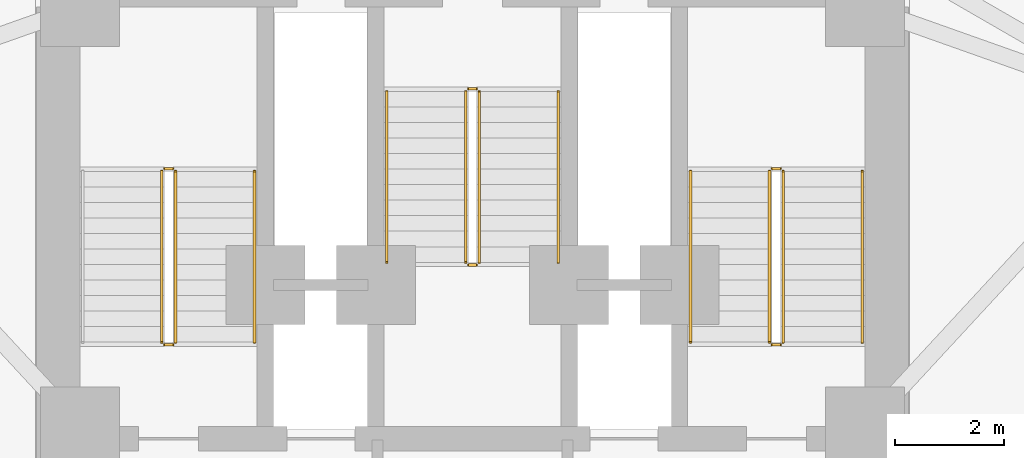
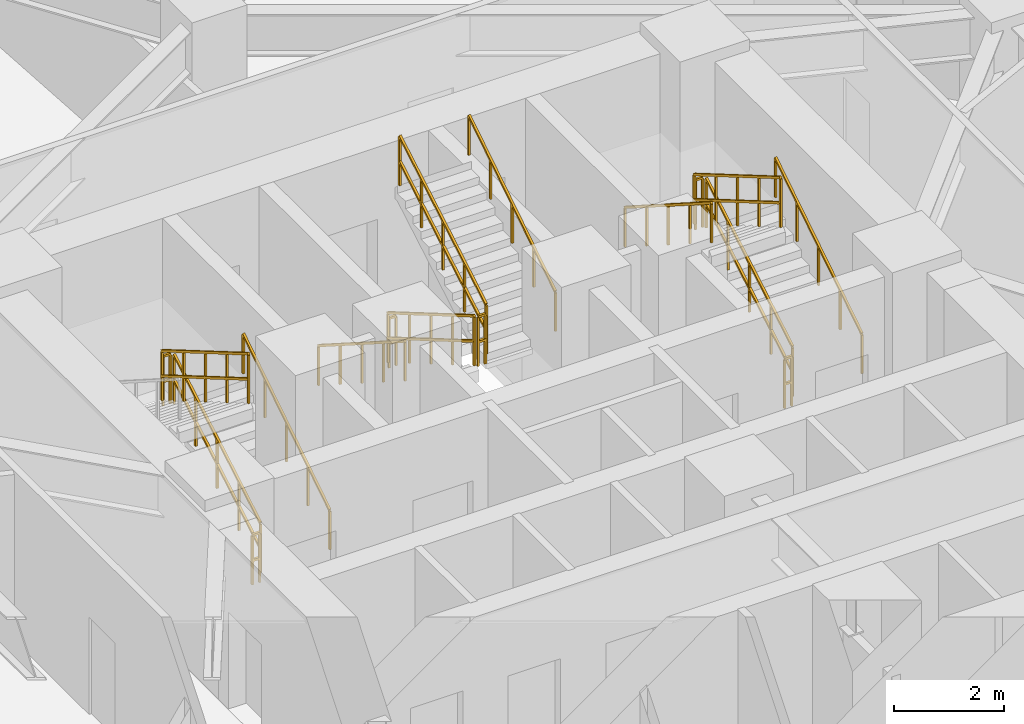
# One storey, part 9 of 10: 17 railings.
"""IFC4 building model written with IfcOpenShell, lengths in metres."""

from ifc_helpers import new_model, si_unit, direction, frame, origin, origin_2d, place, context, subcontext, project, spatial, rectangle, extrude, material, type_object, element, save


model = new_model("IFC4")

# Units and contexts
model_context = context("Model", 3, precision=1e-05, world=origin(), true_north=direction((0.0, 1.0)))
body_context = subcontext(model_context, "Body", "Model", "MODEL_VIEW")
ifc_project = project(units=[si_unit("LENGTHUNIT", "METRE"), si_unit("AREAUNIT", "SQUARE_METRE"), si_unit("VOLUMEUNIT", "CUBIC_METRE"), si_unit("PLANEANGLEUNIT", "RADIAN"), si_unit("MASSUNIT", "GRAM", prefix="KILO")], contexts=[model_context])

# Site, building, storey
site_placement = place(None, origin())
site = spatial("IfcSite", under=ifc_project, at=site_placement, CompositionType="ELEMENT")
building_placement = place(site_placement, origin())
building = spatial("IfcBuilding", under=site, at=building_placement, Name="Apsidion Concourse Tower", CompositionType="ELEMENT")
storey_placement = place(building_placement, frame((0.0, 0.0, 107.0)))
storey = spatial("IfcBuildingStorey", under=building, at=storey_placement, Name="L24", CompositionType="ELEMENT", Elevation=107.0)

# Railings
ifc_material = material(Name="Brushed stainless steel 316", Category="steel")
railing_type_1 = type_object("IfcRailingType", Name="RL-GUARD-1100", PredefinedType="GUARDRAIL", material=ifc_material)
railing_1_placement = place(storey_placement, frame((-5.449951171875, 3.0, 0.166748046875)))
element("IfcRailing", 1, at=railing_1_placement, inside=storey, type_object=railing_type_1, Name="L24 ST1 stair guard 1", PredefinedType="GUARDRAIL", context=body_context, shape_type="SweptSolid", body=[
    extrude(rectangle(XDim=0.048095703125, YDim=0.048095703125, at=origin_2d()), frame((0.0, 0.0, 1.09619140625), z_axis=(0.0, 0.863239559939, 0.504794475164), x_axis=(-1.0, 0.0, 0.0)), (0.0, 0.0, 1.0), 3.631591796875),
    extrude(rectangle(XDim=0.048095703125, YDim=0.048095703125, at=origin_2d()), frame((0.0, 0.0, 0.5361328125), z_axis=(0.0, 0.863239559939, 0.504794475164), x_axis=(-1.0, 0.0, 0.0)), (0.0, 0.0, 1.0), 3.631591796875),
    extrude(rectangle(XDim=0.0419921875, YDim=0.0419921875, at=origin_2d()), origin(), (0.0, 0.0, 1.0), 1.072021484375),
    extrude(rectangle(XDim=0.0419921875, YDim=0.0419921875, at=origin_2d()), frame((0.0, 0.78369140625, 0.458251953125)), (0.0, 0.0, 1.0), 1.072021484375),
    extrude(rectangle(XDim=0.0419921875, YDim=0.0419921875, at=origin_2d()), frame((0.0, 1.5673828125, 0.91650390625)), (0.0, 0.0, 1.0), 1.072021484375),
    extrude(rectangle(XDim=0.0419921875, YDim=0.0419921875, at=origin_2d()), frame((0.0, 2.351318359375, 1.375)), (0.0, 0.0, 1.0), 1.072021484375),
    extrude(rectangle(XDim=0.0419921875, YDim=0.0419921875, at=origin_2d()), frame((0.0, 3.135009765625, 1.833251953125)), (0.0, 0.0, 1.0), 1.072021484375),
])
railing_2_placement = place(storey_placement, frame((-5.5, 6.18505859375, 2.0)))
element("IfcRailing", 2, at=railing_2_placement, inside=storey, type_object=railing_type_1, Name="L24 ST1 stair guard 2", PredefinedType="GUARDRAIL", context=body_context, shape_type="SweptSolid", body=[
    extrude(rectangle(XDim=0.048095703125, YDim=0.048095703125, at=origin_2d()), frame((0.0, 0.0, 1.09619140625), z_axis=(-1.0, 0.0, 0.0), x_axis=(0.0, -1.0, 0.0)), (0.0, 0.0, 1.0), 0.14990234375),
    extrude(rectangle(XDim=0.048095703125, YDim=0.048095703125, at=origin_2d()), frame((0.0, 0.0, 0.5361328125), z_axis=(-1.0, 0.0, 0.0), x_axis=(0.0, -1.0, 0.0)), (0.0, 0.0, 1.0), 0.14990234375),
    extrude(rectangle(XDim=0.0419921875, YDim=0.0419921875, at=origin_2d()), origin(), (0.0, 0.0, 1.0), 1.072021484375),
    extrude(rectangle(XDim=0.0419921875, YDim=0.0419921875, at=origin_2d()), frame((-0.14990234375, 0.0, 0.0)), (0.0, 0.0, 1.0), 1.072021484375),
])
railing_3_placement = place(storey_placement, frame((-5.699951171875, 6.135009765625, 2.166748046875)))
element("IfcRailing", 3, at=railing_3_placement, inside=storey, type_object=railing_type_1, Name="L24 ST1 stair guard 3", PredefinedType="GUARDRAIL", context=body_context, shape_type="SweptSolid", body=[
    extrude(rectangle(XDim=0.048095703125, YDim=0.048095703125, at=origin_2d()), frame((0.0, 0.0, 1.09619140625), z_axis=(0.0, -0.863239559939, 0.504794475164), x_axis=(1.0, 0.0, 0.0)), (0.0, 0.0, 1.0), 3.631591796875),
    extrude(rectangle(XDim=0.048095703125, YDim=0.048095703125, at=origin_2d()), frame((0.0, 0.0, 0.5361328125), z_axis=(0.0, -0.863239559939, 0.504794475164), x_axis=(1.0, 0.0, 0.0)), (0.0, 0.0, 1.0), 3.631591796875),
    extrude(rectangle(XDim=0.0419921875, YDim=0.0419921875, at=origin_2d()), origin(), (0.0, 0.0, 1.0), 1.072021484375),
    extrude(rectangle(XDim=0.0419921875, YDim=0.0419921875, at=origin_2d()), frame((0.0, -0.78369140625, 0.458251953125)), (0.0, 0.0, 1.0), 1.072021484375),
    extrude(rectangle(XDim=0.0419921875, YDim=0.0419921875, at=origin_2d()), frame((0.0, -1.5673828125, 0.91650390625)), (0.0, 0.0, 1.0), 1.072021484375),
    extrude(rectangle(XDim=0.0419921875, YDim=0.0419921875, at=origin_2d()), frame((0.0, -2.351318359375, 1.375)), (0.0, 0.0, 1.0), 1.072021484375),
    extrude(rectangle(XDim=0.0419921875, YDim=0.0419921875, at=origin_2d()), frame((0.0, -3.135009765625, 1.833251953125)), (0.0, 0.0, 1.0), 1.072021484375),
])
railing_4_placement = place(storey_placement, frame((-5.5, 2.949951171875, 0.0)))
element("IfcRailing", 4, at=railing_4_placement, inside=storey, type_object=railing_type_1, Name="L24 ST1 stair guard 4", PredefinedType="GUARDRAIL", context=body_context, shape_type="SweptSolid", body=[
    extrude(rectangle(XDim=0.048095703125, YDim=0.048095703125, at=origin_2d()), frame((0.0, 0.0, 1.09619140625), z_axis=(-1.0, 0.0, 0.0), x_axis=(0.0, -1.0, 0.0)), (0.0, 0.0, 1.0), 0.14990234375),
    extrude(rectangle(XDim=0.048095703125, YDim=0.048095703125, at=origin_2d()), frame((0.0, 0.0, 0.5361328125), z_axis=(-1.0, 0.0, 0.0), x_axis=(0.0, -1.0, 0.0)), (0.0, 0.0, 1.0), 0.14990234375),
    extrude(rectangle(XDim=0.0419921875, YDim=0.0419921875, at=origin_2d()), origin(), (0.0, 0.0, 1.0), 1.072021484375),
    extrude(rectangle(XDim=0.0419921875, YDim=0.0419921875, at=origin_2d()), frame((-0.14990234375, 0.0, 0.0)), (0.0, 0.0, 1.0), 1.072021484375),
])
railing_5_placement = place(storey_placement, frame((5.699951171875, 3.0, 0.166748046875)))
element("IfcRailing", 5, at=railing_5_placement, inside=storey, type_object=railing_type_1, Name="L24 ST2 stair guard 1", PredefinedType="GUARDRAIL", context=body_context, shape_type="SweptSolid", body=[
    extrude(rectangle(XDim=0.048095703125, YDim=0.048095703125, at=origin_2d()), frame((0.0, 0.0, 1.09619140625), z_axis=(0.0, 0.863239559939, 0.504794475164), x_axis=(-1.0, 0.0, 0.0)), (0.0, 0.0, 1.0), 3.631591796875),
    extrude(rectangle(XDim=0.048095703125, YDim=0.048095703125, at=origin_2d()), frame((0.0, 0.0, 0.5361328125), z_axis=(0.0, 0.863239559939, 0.504794475164), x_axis=(-1.0, 0.0, 0.0)), (0.0, 0.0, 1.0), 3.631591796875),
    extrude(rectangle(XDim=0.0419921875, YDim=0.0419921875, at=origin_2d()), origin(), (0.0, 0.0, 1.0), 1.072021484375),
    extrude(rectangle(XDim=0.0419921875, YDim=0.0419921875, at=origin_2d()), frame((0.0, 0.78369140625, 0.458251953125)), (0.0, 0.0, 1.0), 1.072021484375),
    extrude(rectangle(XDim=0.0419921875, YDim=0.0419921875, at=origin_2d()), frame((0.0, 1.5673828125, 0.91650390625)), (0.0, 0.0, 1.0), 1.072021484375),
    extrude(rectangle(XDim=0.0419921875, YDim=0.0419921875, at=origin_2d()), frame((0.0, 2.351318359375, 1.375)), (0.0, 0.0, 1.0), 1.072021484375),
    extrude(rectangle(XDim=0.0419921875, YDim=0.0419921875, at=origin_2d()), frame((0.0, 3.135009765625, 1.833251953125)), (0.0, 0.0, 1.0), 1.072021484375),
])
railing_6_placement = place(storey_placement, frame((5.64990234375, 6.18505859375, 2.0)))
element("IfcRailing", 6, at=railing_6_placement, inside=storey, type_object=railing_type_1, Name="L24 ST2 stair guard 2", PredefinedType="GUARDRAIL", context=body_context, shape_type="SweptSolid", body=[
    extrude(rectangle(XDim=0.048095703125, YDim=0.048095703125, at=origin_2d()), frame((0.0, 0.0, 1.09619140625), z_axis=(-1.0, 0.0, 0.0), x_axis=(0.0, -1.0, 0.0)), (0.0, 0.0, 1.0), 0.14990234375),
    extrude(rectangle(XDim=0.048095703125, YDim=0.048095703125, at=origin_2d()), frame((0.0, 0.0, 0.5361328125), z_axis=(-1.0, 0.0, 0.0), x_axis=(0.0, -1.0, 0.0)), (0.0, 0.0, 1.0), 0.14990234375),
    extrude(rectangle(XDim=0.0419921875, YDim=0.0419921875, at=origin_2d()), origin(), (0.0, 0.0, 1.0), 1.072021484375),
    extrude(rectangle(XDim=0.0419921875, YDim=0.0419921875, at=origin_2d()), frame((-0.14990234375, 0.0, 0.0)), (0.0, 0.0, 1.0), 1.072021484375),
])
railing_7_placement = place(storey_placement, frame((5.449951171875, 6.135009765625, 2.166748046875)))
element("IfcRailing", 7, at=railing_7_placement, inside=storey, type_object=railing_type_1, Name="L24 ST2 stair guard 3", PredefinedType="GUARDRAIL", context=body_context, shape_type="SweptSolid", body=[
    extrude(rectangle(XDim=0.048095703125, YDim=0.048095703125, at=origin_2d()), frame((0.0, 0.0, 1.09619140625), z_axis=(0.0, -0.863239559939, 0.504794475164), x_axis=(1.0, 0.0, 0.0)), (0.0, 0.0, 1.0), 3.631591796875),
    extrude(rectangle(XDim=0.048095703125, YDim=0.048095703125, at=origin_2d()), frame((0.0, 0.0, 0.5361328125), z_axis=(0.0, -0.863239559939, 0.504794475164), x_axis=(1.0, 0.0, 0.0)), (0.0, 0.0, 1.0), 3.631591796875),
    extrude(rectangle(XDim=0.0419921875, YDim=0.0419921875, at=origin_2d()), origin(), (0.0, 0.0, 1.0), 1.072021484375),
    extrude(rectangle(XDim=0.0419921875, YDim=0.0419921875, at=origin_2d()), frame((0.0, -0.78369140625, 0.458251953125)), (0.0, 0.0, 1.0), 1.072021484375),
    extrude(rectangle(XDim=0.0419921875, YDim=0.0419921875, at=origin_2d()), frame((0.0, -1.5673828125, 0.91650390625)), (0.0, 0.0, 1.0), 1.072021484375),
    extrude(rectangle(XDim=0.0419921875, YDim=0.0419921875, at=origin_2d()), frame((0.0, -2.351318359375, 1.375)), (0.0, 0.0, 1.0), 1.072021484375),
    extrude(rectangle(XDim=0.0419921875, YDim=0.0419921875, at=origin_2d()), frame((0.0, -3.135009765625, 1.833251953125)), (0.0, 0.0, 1.0), 1.072021484375),
])
railing_8_placement = place(storey_placement, frame((5.64990234375, 2.949951171875, 0.0)))
element("IfcRailing", 8, at=railing_8_placement, inside=storey, type_object=railing_type_1, Name="L24 ST2 stair guard 4", PredefinedType="GUARDRAIL", context=body_context, shape_type="SweptSolid", body=[
    extrude(rectangle(XDim=0.048095703125, YDim=0.048095703125, at=origin_2d()), frame((0.0, 0.0, 1.09619140625), z_axis=(-1.0, 0.0, 0.0), x_axis=(0.0, -1.0, 0.0)), (0.0, 0.0, 1.0), 0.14990234375),
    extrude(rectangle(XDim=0.048095703125, YDim=0.048095703125, at=origin_2d()), frame((0.0, 0.0, 0.5361328125), z_axis=(-1.0, 0.0, 0.0), x_axis=(0.0, -1.0, 0.0)), (0.0, 0.0, 1.0), 0.14990234375),
    extrude(rectangle(XDim=0.0419921875, YDim=0.0419921875, at=origin_2d()), origin(), (0.0, 0.0, 1.0), 1.072021484375),
    extrude(rectangle(XDim=0.0419921875, YDim=0.0419921875, at=origin_2d()), frame((-0.14990234375, 0.0, 0.0)), (0.0, 0.0, 1.0), 1.072021484375),
])
railing_9_placement = place(storey_placement, frame((-0.125, 7.60009765625, 0.166748046875)))
element("IfcRailing", 9, at=railing_9_placement, inside=storey, type_object=railing_type_1, Name="L24 ST3 stair guard 1", PredefinedType="GUARDRAIL", context=body_context, shape_type="SweptSolid", body=[
    extrude(rectangle(XDim=0.048095703125, YDim=0.048095703125, at=origin_2d()), frame((0.0, 0.0, 1.09619140625), z_axis=(0.0, -0.863239559939, 0.504794475164), x_axis=(1.0, 0.0, 0.0)), (0.0, 0.0, 1.0), 3.631591796875),
    extrude(rectangle(XDim=0.048095703125, YDim=0.048095703125, at=origin_2d()), frame((0.0, 0.0, 0.5361328125), z_axis=(0.0, -0.863239559939, 0.504794475164), x_axis=(1.0, 0.0, 0.0)), (0.0, 0.0, 1.0), 3.631591796875),
    extrude(rectangle(XDim=0.0419921875, YDim=0.0419921875, at=origin_2d()), origin(), (0.0, 0.0, 1.0), 1.072021484375),
    extrude(rectangle(XDim=0.0419921875, YDim=0.0419921875, at=origin_2d()), frame((0.0, -0.78369140625, 0.458251953125)), (0.0, 0.0, 1.0), 1.072021484375),
    extrude(rectangle(XDim=0.0419921875, YDim=0.0419921875, at=origin_2d()), frame((0.0, -1.5673828125, 0.91650390625)), (0.0, 0.0, 1.0), 1.072021484375),
    extrude(rectangle(XDim=0.0419921875, YDim=0.0419921875, at=origin_2d()), frame((0.0, -2.351318359375, 1.375)), (0.0, 0.0, 1.0), 1.072021484375),
    extrude(rectangle(XDim=0.0419921875, YDim=0.0419921875, at=origin_2d()), frame((0.0, -3.135009765625, 1.833251953125)), (0.0, 0.0, 1.0), 1.072021484375),
])
railing_10_placement = place(storey_placement, frame((-0.074951171875, 4.4150390625, 2.0)))
element("IfcRailing", 10, at=railing_10_placement, inside=storey, type_object=railing_type_1, Name="L24 ST3 stair guard 2", PredefinedType="GUARDRAIL", context=body_context, shape_type="SweptSolid", body=[
    extrude(rectangle(XDim=0.048095703125, YDim=0.048095703125, at=origin_2d()), frame((0.0, 0.0, 1.09619140625), z_axis=(1.0, 0.0, 0.0), x_axis=(0.0, 1.0, 0.0)), (0.0, 0.0, 1.0), 0.14990234375),
    extrude(rectangle(XDim=0.048095703125, YDim=0.048095703125, at=origin_2d()), frame((0.0, 0.0, 0.5361328125), z_axis=(1.0, 0.0, 0.0), x_axis=(0.0, 1.0, 0.0)), (0.0, 0.0, 1.0), 0.14990234375),
    extrude(rectangle(XDim=0.0419921875, YDim=0.0419921875, at=origin_2d()), origin(), (0.0, 0.0, 1.0), 1.072021484375),
    extrude(rectangle(XDim=0.0419921875, YDim=0.0419921875, at=origin_2d()), frame((0.14990234375, 0.0, 0.0)), (0.0, 0.0, 1.0), 1.072021484375),
])
railing_11_placement = place(storey_placement, frame((0.125, 4.465087890625, 2.166748046875)))
element("IfcRailing", 11, at=railing_11_placement, inside=storey, type_object=railing_type_1, Name="L24 ST3 stair guard 3", PredefinedType="GUARDRAIL", context=body_context, shape_type="SweptSolid", body=[
    extrude(rectangle(XDim=0.048095703125, YDim=0.048095703125, at=origin_2d()), frame((0.0, 0.0, 1.09619140625), z_axis=(0.0, 0.863239559939, 0.504794475164), x_axis=(-1.0, 0.0, 0.0)), (0.0, 0.0, 1.0), 3.631591796875),
    extrude(rectangle(XDim=0.048095703125, YDim=0.048095703125, at=origin_2d()), frame((0.0, 0.0, 0.5361328125), z_axis=(0.0, 0.863239559939, 0.504794475164), x_axis=(-1.0, 0.0, 0.0)), (0.0, 0.0, 1.0), 3.631591796875),
    extrude(rectangle(XDim=0.0419921875, YDim=0.0419921875, at=origin_2d()), origin(), (0.0, 0.0, 1.0), 1.072021484375),
    extrude(rectangle(XDim=0.0419921875, YDim=0.0419921875, at=origin_2d()), frame((0.0, 0.78369140625, 0.458251953125)), (0.0, 0.0, 1.0), 1.072021484375),
    extrude(rectangle(XDim=0.0419921875, YDim=0.0419921875, at=origin_2d()), frame((0.0, 1.5673828125, 0.91650390625)), (0.0, 0.0, 1.0), 1.072021484375),
    extrude(rectangle(XDim=0.0419921875, YDim=0.0419921875, at=origin_2d()), frame((0.0, 2.351318359375, 1.375)), (0.0, 0.0, 1.0), 1.072021484375),
    extrude(rectangle(XDim=0.0419921875, YDim=0.0419921875, at=origin_2d()), frame((0.0, 3.135009765625, 1.833251953125)), (0.0, 0.0, 1.0), 1.072021484375),
])
railing_12_placement = place(storey_placement, frame((-0.074951171875, 7.64990234375, 0.0)))
element("IfcRailing", 12, at=railing_12_placement, inside=storey, type_object=railing_type_1, Name="L24 ST3 stair guard 4", PredefinedType="GUARDRAIL", context=body_context, shape_type="SweptSolid", body=[
    extrude(rectangle(XDim=0.048095703125, YDim=0.048095703125, at=origin_2d()), frame((0.0, 0.0, 1.09619140625), z_axis=(1.0, 0.0, 0.0), x_axis=(0.0, 1.0, 0.0)), (0.0, 0.0, 1.0), 0.14990234375),
    extrude(rectangle(XDim=0.048095703125, YDim=0.048095703125, at=origin_2d()), frame((0.0, 0.0, 0.5361328125), z_axis=(1.0, 0.0, 0.0), x_axis=(0.0, 1.0, 0.0)), (0.0, 0.0, 1.0), 0.14990234375),
    extrude(rectangle(XDim=0.0419921875, YDim=0.0419921875, at=origin_2d()), origin(), (0.0, 0.0, 1.0), 1.072021484375),
    extrude(rectangle(XDim=0.0419921875, YDim=0.0419921875, at=origin_2d()), frame((0.14990234375, 0.0, 0.0)), (0.0, 0.0, 1.0), 1.072021484375),
])
railing_type_2 = type_object("IfcRailingType", Name="RL-HAND-900", PredefinedType="HANDRAIL", material=ifc_material)
for number, where, name in (
    (13, (-4.0, 3.0, 0.166748046875), "L24 ST1 stair handrail 1"),
    (14, (7.14990234375, 3.0, 0.166748046875), "L24 ST2 stair handrail 1"),
):
    element("IfcRailing", number, at=place(storey_placement, frame(where)), inside=storey, type_object=railing_type_2, Name=name, PredefinedType="HANDRAIL", context=body_context, shape_type="SweptSolid", body=[
        extrude(rectangle(XDim=0.048095703125, YDim=0.048095703125, at=origin_2d()), frame((0.0, 0.0, 0.8759765625), z_axis=(0.0, 0.843052688722, 0.537830980921), x_axis=(-1.0, 0.0, 0.0)), (0.0, 0.0, 1.0), 3.71875),
        extrude(rectangle(XDim=0.0419921875, YDim=0.0419921875, at=origin_2d()), origin(), (0.0, 0.0, 1.0), 0.851806640625),
        extrude(rectangle(XDim=0.0419921875, YDim=0.0419921875, at=origin_2d()), frame((0.0, 0.78369140625, 0.5)), (0.0, 0.0, 1.0), 0.851806640625),
        extrude(rectangle(XDim=0.0419921875, YDim=0.0419921875, at=origin_2d()), frame((0.0, 1.5673828125, 1.0)), (0.0, 0.0, 1.0), 0.851806640625),
        extrude(rectangle(XDim=0.0419921875, YDim=0.0419921875, at=origin_2d()), frame((0.0, 2.351318359375, 1.5)), (0.0, 0.0, 1.0), 0.851806640625),
        extrude(rectangle(XDim=0.0419921875, YDim=0.0419921875, at=origin_2d()), frame((0.0, 3.135009765625, 2.0)), (0.0, 0.0, 1.0), 0.851806640625),
    ])
for number, where, name in (
    (15, (4.0, 6.135009765625, 2.166748046875), "L24 ST2 stair handrail 2"),
    (16, (-1.574951171875, 7.60009765625, 0.166748046875), "L24 ST3 stair handrail 1"),
):
    element("IfcRailing", number, at=place(storey_placement, frame(where)), inside=storey, type_object=railing_type_2, Name=name, PredefinedType="HANDRAIL", context=body_context, shape_type="SweptSolid", body=[
        extrude(rectangle(XDim=0.048095703125, YDim=0.048095703125, at=origin_2d()), frame((0.0, 0.0, 0.8759765625), z_axis=(0.0, -0.843052688722, 0.537830980921), x_axis=(1.0, 0.0, 0.0)), (0.0, 0.0, 1.0), 3.71875),
        extrude(rectangle(XDim=0.0419921875, YDim=0.0419921875, at=origin_2d()), origin(), (0.0, 0.0, 1.0), 0.851806640625),
        extrude(rectangle(XDim=0.0419921875, YDim=0.0419921875, at=origin_2d()), frame((0.0, -0.78369140625, 0.5)), (0.0, 0.0, 1.0), 0.851806640625),
        extrude(rectangle(XDim=0.0419921875, YDim=0.0419921875, at=origin_2d()), frame((0.0, -1.5673828125, 1.0)), (0.0, 0.0, 1.0), 0.851806640625),
        extrude(rectangle(XDim=0.0419921875, YDim=0.0419921875, at=origin_2d()), frame((0.0, -2.351318359375, 1.5)), (0.0, 0.0, 1.0), 0.851806640625),
        extrude(rectangle(XDim=0.0419921875, YDim=0.0419921875, at=origin_2d()), frame((0.0, -3.135009765625, 2.0)), (0.0, 0.0, 1.0), 0.851806640625),
    ])
railing_13_placement = place(storey_placement, frame((1.574951171875, 4.465087890625, 2.166748046875)))
element("IfcRailing", 17, at=railing_13_placement, inside=storey, type_object=railing_type_2, Name="L24 ST3 stair handrail 2", PredefinedType="HANDRAIL", context=body_context, shape_type="SweptSolid", body=[
    extrude(rectangle(XDim=0.048095703125, YDim=0.048095703125, at=origin_2d()), frame((0.0, 0.0, 0.8759765625), z_axis=(0.0, 0.843052688722, 0.537830980921), x_axis=(-1.0, 0.0, 0.0)), (0.0, 0.0, 1.0), 3.71875),
    extrude(rectangle(XDim=0.0419921875, YDim=0.0419921875, at=origin_2d()), origin(), (0.0, 0.0, 1.0), 0.851806640625),
    extrude(rectangle(XDim=0.0419921875, YDim=0.0419921875, at=origin_2d()), frame((0.0, 0.78369140625, 0.5)), (0.0, 0.0, 1.0), 0.851806640625),
    extrude(rectangle(XDim=0.0419921875, YDim=0.0419921875, at=origin_2d()), frame((0.0, 1.5673828125, 1.0)), (0.0, 0.0, 1.0), 0.851806640625),
    extrude(rectangle(XDim=0.0419921875, YDim=0.0419921875, at=origin_2d()), frame((0.0, 2.351318359375, 1.5)), (0.0, 0.0, 1.0), 0.851806640625),
    extrude(rectangle(XDim=0.0419921875, YDim=0.0419921875, at=origin_2d()), frame((0.0, 3.135009765625, 2.0)), (0.0, 0.0, 1.0), 0.851806640625),
])

save(model, "model.ifc")
